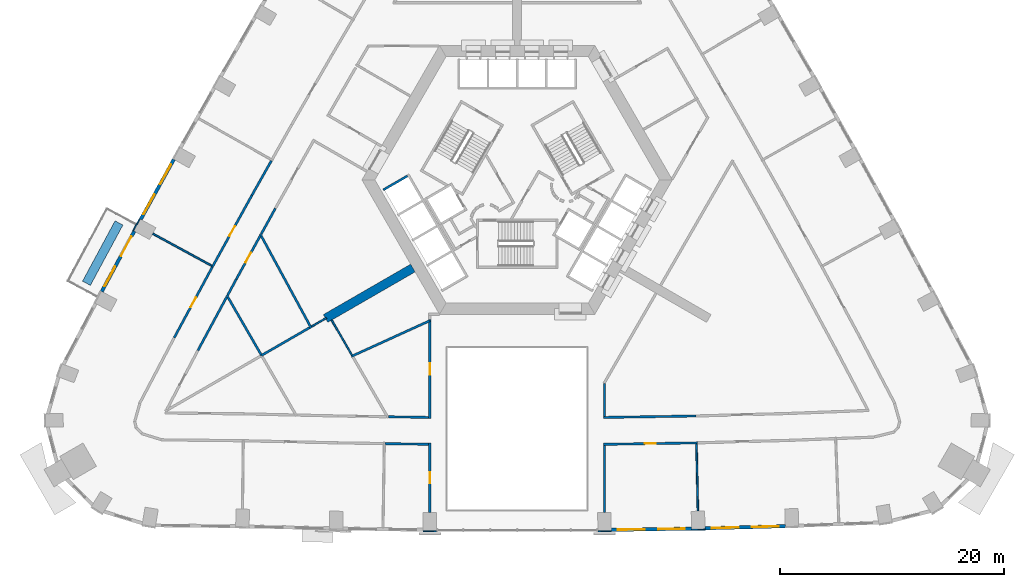
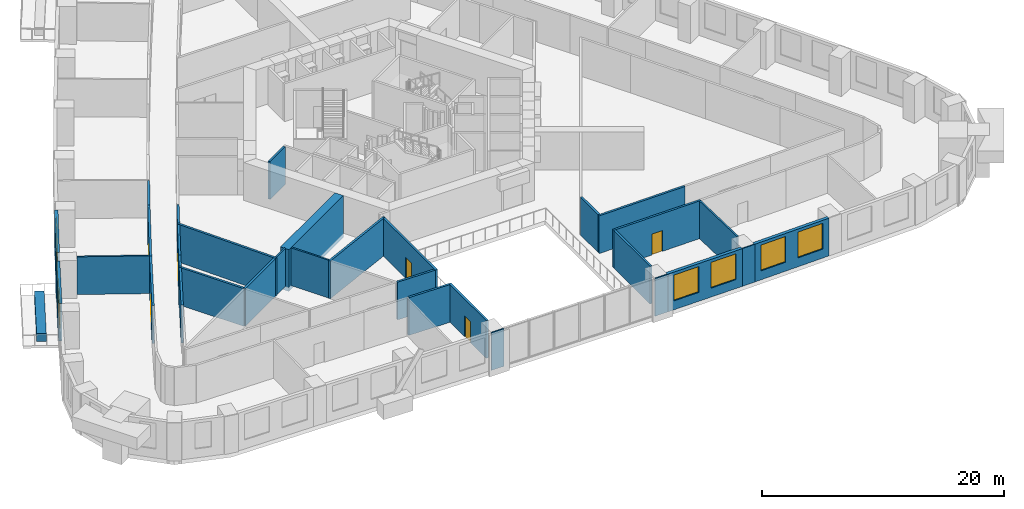
# One storey, part 5 of 15: 34 walls, 7 doors, 7 windows, 14 openings.
"""IFC4 building model written with IfcOpenShell, lengths in metres."""

from ifc_helpers import new_model, si_unit, direction, frame, frame_2d, origin, place, context, subcontext, project, spatial, rectangle, extrude, material, layer, layer_set, type_object, element, fill, save


model = new_model("IFC4")

# Units and contexts
model_context = context("Model", 3, precision=1e-05, world=origin(), true_north=direction((0.0, 1.0)))
body_context = subcontext(model_context, "Body", "Model", "MODEL_VIEW")
ifc_project = project(units=[si_unit("LENGTHUNIT", "METRE"), si_unit("AREAUNIT", "SQUARE_METRE"), si_unit("VOLUMEUNIT", "CUBIC_METRE"), si_unit("PLANEANGLEUNIT", "RADIAN"), si_unit("MASSUNIT", "GRAM", prefix="KILO")], contexts=[model_context])

# Site, building, storey
site_placement = place(None, origin())
site = spatial("IfcSite", under=ifc_project, at=site_placement, CompositionType="ELEMENT")
building_placement = place(site_placement, origin())
building = spatial("IfcBuilding", under=site, at=building_placement, Name="Entoto Arch Interchange Tower", CompositionType="ELEMENT")
storey_placement = place(building_placement, frame((0.0, 0.0, 56.0)))
storey = spatial("IfcBuildingStorey", under=building, at=storey_placement, Name="L11", CompositionType="ELEMENT", Elevation=56.0)

# Walls
ifc_material_1 = material(Name="Concrete C60/75", Category="concrete")
ifc_layer_1 = layer(ifc_material_1, 0.800048828125)
ifc_layer_set_1 = layer_set([ifc_layer_1], Name="Concrete C60/75")
wall_type_1 = type_object("IfcWallType", Name="Buttress wall 800 C60/75", PredefinedType="SHEAR", material=ifc_layer_set_1)
wall_1_placement = place(storey_placement, frame((-9.31005859375, -5.375, -0.39990234375), z_axis=(0.0, 0.0, 1.0), x_axis=(-0.866017533419, -0.500013631625, 0.0)))
element("IfcWall", 1, at=wall_1_placement, inside=storey, type_object=wall_type_1, Name="Buttress wall SW L11", PredefinedType="SHEAR", context=body_context, shape_type="SweptSolid", body=[
    extrude(rectangle(XDim=8.999755859375, YDim=0.800048828125, at=frame_2d((4.5, 0.0))), origin(), (0.0, 0.0, 1.0), 4.199951171875),
])
ifc_material_2 = material(Name="Concrete C40/50", Category="concrete")
ifc_layer_2 = layer(ifc_material_2, 0.199951171875)
ifc_layer_set_2 = layer_set([ifc_layer_2], Name="Concrete C40/50")
wall_type_2 = type_object("IfcWallType", Name="LIFT SHAFT WALL 200", PredefinedType="STANDARD", material=ifc_layer_set_2)
wall_2_placement = place(storey_placement, frame((-9.7880859375, 2.85302734375, 0.0), z_axis=(0.0, 0.0, 1.0), x_axis=(-0.865998541277, -0.500046524342, 0.0)))
element("IfcWall", 2, at=wall_2_placement, inside=storey, type_object=wall_type_2, Name="Shaft wall SW3 cross 1", PredefinedType="STANDARD", context=body_context, shape_type="SweptSolid", body=[
    extrude(rectangle(XDim=2.499755859375, YDim=0.199951171875, at=frame_2d((1.25, 0.0))), origin(), (0.0, 0.0, 1.0), 3.800048828125),
])
ifc_material_3 = material(Name="Gypsum board partition on steel studs", Category="steel")
ifc_layer_3 = layer(ifc_material_3, 0.14990234375)
ifc_layer_set_3 = layer_set([ifc_layer_3], Name="Gypsum board partition on steel studs")
wall_type_3 = type_object("IfcWallType", Name="PARTITION 150", PredefinedType="PARTITIONING", material=ifc_layer_set_3)
wall_3_placement = place(storey_placement, frame((-14.760986328125, -13.134033203125, 0.0), z_axis=(0.0, 0.0, 1.0), x_axis=(-0.499704810774, 0.866195764299, 0.0)))
element("IfcWall", 3, at=wall_3_placement, inside=storey, type_object=wall_type_3, Name="wall:L11:p125", PredefinedType="PARTITIONING", context=body_context, shape_type="SweptSolid", body=[
    extrude(rectangle(XDim=3.593994140625, YDim=0.14990234375, at=frame_2d((1.796875, 0.0))), origin(), (0.0, 0.0, 1.0), 3.800048828125),
])
wall_4_placement = place(storey_placement, frame((-17.032958984375, -9.8291015625, 0.0), z_axis=(0.0, 0.0, 1.0), x_axis=(-0.866094414679, -0.49988045057, 0.0)))
element("IfcWall", 4, at=wall_4_placement, inside=storey, type_object=wall_type_3, Name="wall:L11:p126", PredefinedType="PARTITIONING", context=body_context, shape_type="SweptSolid", body=[
    extrude(rectangle(XDim=1.515869140625, YDim=0.14990234375, at=frame_2d((0.7578125, 0.0))), origin(), (0.0, 0.0, 1.0), 3.800048828125),
])
wall_5_placement = place(storey_placement, frame((16.0048828125, -21.0791015625, 0.0), z_axis=(0.0, 0.0, 1.0), x_axis=(0.021436771826, -0.999770206004, 0.0)))
element("IfcWall", 5, at=wall_5_placement, inside=storey, type_object=wall_type_3, Name="wall:L11:p132", PredefinedType="PARTITIONING", context=body_context, shape_type="SweptSolid", body=[
    extrude(rectangle(XDim=5.979248046875, YDim=0.14990234375, at=frame_2d((2.98974609375, 0.0))), origin(), (0.0, 0.0, 1.0), 3.800048828125),
])
wall_6_placement = place(storey_placement, frame((-27.26806640625, -5.1708984375, 0.0), z_axis=(0.0, 0.0, 1.0), x_axis=(-0.877837854343, 0.478957932895, 0.0)))
element("IfcWall", 6, at=wall_6_placement, inside=storey, type_object=wall_type_3, Name="wall:L11:p143", PredefinedType="PARTITIONING", context=body_context, shape_type="SweptSolid", body=[
    extrude(rectangle(XDim=5.981689453125, YDim=0.14990234375, at=frame_2d((2.99072265625, 0.0))), origin(), (0.0, 0.0, 1.0), 3.800048828125),
])
ifc_layer_4 = layer(ifc_material_3, 0.199951171875)
ifc_layer_set_4 = layer_set([ifc_layer_4], Name="Gypsum board partition on steel studs")
wall_type_4 = type_object("IfcWallType", Name="PARTITION 200", PredefinedType="PARTITIONING", material=ifc_layer_set_4)
wall_7_placement = place(storey_placement, frame((7.699951171875, -18.7099609375, 0.0), z_axis=(0.0, 0.0, 1.0), x_axis=(0.999874256061, 0.015857870791, 0.0)))
element("IfcWall", 7, at=wall_7_placement, inside=storey, type_object=wall_type_4, Name="wall:L11:p018", PredefinedType="PARTITIONING", context=body_context, shape_type="SweptSolid", body=[
    extrude(rectangle(XDim=8.251953125, YDim=0.199951171875, at=frame_2d((4.1259765625, 0.0))), origin(), (0.0, 0.0, 1.0), 3.800048828125),
])
wall_8_placement = place(storey_placement, frame((-21.5849609375, -0.044921875, 0.0), z_axis=(0.0, 0.0, 1.0), x_axis=(-0.483139162319, -0.875543573921, 0.0)))
element("IfcWall", 8, at=wall_8_placement, inside=storey, type_object=wall_type_4, Name="wall:L11:p027", PredefinedType="PARTITIONING", context=body_context, shape_type="SweptSolid", body=[
    extrude(rectangle(XDim=2.610107421875, YDim=0.199951171875, at=frame_2d((1.30517578125, 0.0))), origin(), (0.0, 0.0, 1.0), 3.800048828125),
])
wall_9_placement = place(storey_placement, frame((-11.47705078125, -18.64990234375, 0.0), z_axis=(0.0, 0.0, 1.0), x_axis=(0.9998724957, -0.015968479661, 0.0)))
element("IfcWall", 9, at=wall_9_placement, inside=storey, type_object=wall_type_4, Name="wall:L11:p028", PredefinedType="PARTITIONING", context=body_context, shape_type="SweptSolid", body=[
    extrude(rectangle(XDim=3.57763671875, YDim=0.199951171875, at=frame_2d((1.788818359375, 0.0))), origin(), (0.0, 0.0, 1.0), 3.800048828125),
])

# Wall, opening, door
wall_10_placement = place(storey_placement, frame((-22.94189453125, -2.5048828125, 0.0), z_axis=(0.0, 0.0, 1.0), x_axis=(-0.48320751977, -0.875505849688, 0.0)))
wall_10 = element("IfcWall", 10, at=wall_10_placement, inside=storey, type_object=wall_type_4, Name="wall:L11:p029", PredefinedType="PARTITIONING", context=body_context, shape_type="SweptSolid", body=[
    extrude(rectangle(XDim=4.412353515625, YDim=0.199951171875, at=frame_2d((2.2060546875, 0.0))), origin(), (0.0, 0.0, 1.0), 3.800048828125),
])
opening_1_placement = place(wall_10_placement, frame((1.7060546875, 0.0, 0.0)))
opening_1 = element("IfcOpeningElement", 11, at=opening_1_placement, cuts=wall_10, Name="Opening L11-D23", PredefinedType="OPENING", context=body_context, shape_type="SweptSolid", body=[
    extrude(rectangle(XDim=1.0, YDim=2.10009765625, at=frame_2d((0.5, 1.050048828125))), frame((0.0, 0.10986328125, 0.0), z_axis=(0.0, -1.0, 0.0), x_axis=(1.0, 0.0, 0.0)), (0.0, 0.0, 1.0), 0.219970703125),
])
ifc_material_4 = material(Name="Timber door leaf in Steel S235 frame", Category="steel")
door_type_1 = type_object("IfcDoorType", Name="DOOR DS-10 1000x2100", OperationType="SINGLE_SWING_LEFT", PredefinedType="DOOR", material=ifc_material_4)
door_1_placement = place(opening_1_placement, origin())
door_1 = element("IfcDoor", 12, at=door_1_placement, inside=storey, type_object=door_type_1, Name="door:L11:23", OperationType="SINGLE_SWING_LEFT", OverallHeight=2.10009765625, OverallWidth=1.0, PredefinedType="DOOR", context=body_context, shape_type="SweptSolid", body=[
    extrude(rectangle(XDim=1.0, YDim=2.10009765625, at=frame_2d((0.5, 1.050048828125))), frame((0.0, 0.02490234375, 0.0), z_axis=(0.0, -1.0, 0.0), x_axis=(1.0, 0.0, 0.0)), (0.0, 0.0, 1.0), 0.050048828125),
])
fill(opening_1, door_1)

# Walls
wall_11_placement = place(storey_placement, frame((-25.073974609375, -6.367919921875, 0.0), z_axis=(0.0, 0.0, 1.0), x_axis=(-0.474616646546, -0.880192614614, 0.0)))
element("IfcWall", 13, at=wall_11_placement, inside=storey, type_object=wall_type_4, Name="wall:L11:p030", PredefinedType="PARTITIONING", context=body_context, shape_type="SweptSolid", body=[
    extrude(rectangle(XDim=1.60546875, YDim=0.199951171875, at=frame_2d((0.802734375, 0.0))), origin(), (0.0, 0.0, 1.0), 3.800048828125),
])
wall_12_placement = place(storey_placement, frame((-25.930908203125, -7.95703125, 0.0), z_axis=(0.0, 0.0, 1.0), x_axis=(-0.474554072379, -0.880226352928, 0.0)))
element("IfcWall", 14, at=wall_12_placement, inside=storey, type_object=wall_type_4, Name="wall:L11:p033", PredefinedType="PARTITIONING", context=body_context, shape_type="SweptSolid", body=[
    extrude(rectangle(XDim=5.415771484375, YDim=0.199951171875, at=frame_2d((2.7080078125, 0.0))), origin(), (0.0, 0.0, 1.0), 3.800048828125),
])

# Wall, opening, door
wall_13_placement = place(storey_placement, frame((16.077880859375, -20.97802734375, 0.0), z_axis=(0.0, 0.0, 1.0), x_axis=(-0.999873907997, -0.015879801838, 0.0)))
wall_13 = element("IfcWall", 15, at=wall_13_placement, inside=storey, type_object=wall_type_4, Name="wall:L11:p037", PredefinedType="PARTITIONING", context=body_context, shape_type="SweptSolid", body=[
    extrude(rectangle(XDim=8.37890625, YDim=0.199951171875, at=frame_2d((4.189453125, 0.0))), origin(), (0.0, 0.0, 1.0), 3.800048828125),
])
opening_2_placement = place(wall_13_placement, frame((3.68896484375, 0.0, 0.0)))
opening_2 = element("IfcOpeningElement", 16, at=opening_2_placement, cuts=wall_13, Name="Opening L11-D01", PredefinedType="OPENING", context=body_context, shape_type="SweptSolid", body=[
    extrude(rectangle(XDim=1.0, YDim=2.10009765625, at=frame_2d((0.5, 1.050048828125))), frame((0.0, 0.10986328125, 0.0), z_axis=(0.0, -1.0, 0.0), x_axis=(1.0, 0.0, 0.0)), (0.0, 0.0, 1.0), 0.219970703125),
])
door_2_placement = place(opening_2_placement, origin())
door_2 = element("IfcDoor", 17, at=door_2_placement, inside=storey, type_object=door_type_1, Name="door:L11:01", OperationType="SINGLE_SWING_RIGHT", OverallHeight=2.10009765625, OverallWidth=1.0, PredefinedType="DOOR", context=body_context, shape_type="SweptSolid", body=[
    extrude(rectangle(XDim=1.0, YDim=2.10009765625, at=frame_2d((0.5, 1.050048828125))), frame((0.0, 0.02490234375, 0.0), z_axis=(0.0, -1.0, 0.0), x_axis=(1.0, 0.0, 0.0)), (0.0, 0.0, 1.0), 0.050048828125),
])
fill(opening_2, door_2)

wall_14_placement = place(storey_placement, frame((-27.217041015625, -5.283935546875, 0.0), z_axis=(0.0, 0.0, 1.0), x_axis=(0.483151415114, 0.875536812517, 0.0)))
wall_14 = element("IfcWall", 18, at=wall_14_placement, inside=storey, type_object=wall_type_4, Name="wall:L11:p067", PredefinedType="PARTITIONING", context=body_context, shape_type="SweptSolid", body=[
    extrude(rectangle(XDim=7.31884765625, YDim=0.199951171875, at=frame_2d((3.659423828125, 0.0))), origin(), (0.0, 0.0, 1.0), 3.800048828125),
])
opening_3_placement = place(wall_14_placement, frame((3.158935546875, 0.0, 0.0)))
opening_3 = element("IfcOpeningElement", 19, at=opening_3_placement, cuts=wall_14, Name="Opening L11-D12", PredefinedType="OPENING", context=body_context, shape_type="SweptSolid", body=[
    extrude(rectangle(XDim=1.0, YDim=2.10009765625, at=frame_2d((0.5, 1.050048828125))), frame((0.0, 0.10986328125, 0.0), z_axis=(0.0, -1.0, 0.0), x_axis=(1.0, 0.0, 0.0)), (0.0, 0.0, 1.0), 0.219970703125),
])
door_3_placement = place(opening_3_placement, origin())
door_3 = element("IfcDoor", 20, at=door_3_placement, inside=storey, type_object=door_type_1, Name="door:L11:12", OperationType="SINGLE_SWING_LEFT", OverallHeight=2.10009765625, OverallWidth=1.0, PredefinedType="DOOR", context=body_context, shape_type="SweptSolid", body=[
    extrude(rectangle(XDim=1.0, YDim=2.10009765625, at=frame_2d((0.5, 1.050048828125))), frame((0.0, 0.02490234375, 0.0), z_axis=(0.0, -1.0, 0.0), x_axis=(1.0, 0.0, 0.0)), (0.0, 0.0, 1.0), 0.050048828125),
])
fill(opening_3, door_3)

# Wall
wall_15_placement = place(storey_placement, frame((-23.680908203125, 1.1240234375, 0.0), z_axis=(0.0, 0.0, 1.0), x_axis=(0.491485799319, 0.870885588965, 0.0)))
element("IfcWall", 21, at=wall_15_placement, inside=storey, type_object=wall_type_4, Name="wall:L11:p068", PredefinedType="PARTITIONING", context=body_context, shape_type="SweptSolid", body=[
    extrude(rectangle(XDim=3.548095703125, YDim=0.199951171875, at=frame_2d((1.77392578125, 0.0))), origin(), (0.0, 0.0, 1.0), 3.800048828125),
])

# Wall, opening, door
wall_16_placement = place(storey_placement, frame((-30.618896484375, -11.594970703125, 0.0), z_axis=(0.0, 0.0, 1.0), x_axis=(0.474595197669, 0.880204179921, 0.0)))
wall_16 = element("IfcWall", 22, at=wall_16_placement, inside=storey, type_object=wall_type_4, Name="wall:L11:p075", PredefinedType="PARTITIONING", context=body_context, shape_type="SweptSolid", body=[
    extrude(rectangle(XDim=7.169921875, YDim=0.199951171875, at=frame_2d((3.5849609375, 0.0))), origin(), (0.0, 0.0, 1.0), 3.800048828125),
])
opening_4_placement = place(wall_16_placement, frame((3.0849609375, 0.0, 0.0)))
opening_4 = element("IfcOpeningElement", 23, at=opening_4_placement, cuts=wall_16, Name="Opening L11-D13", PredefinedType="OPENING", context=body_context, shape_type="SweptSolid", body=[
    extrude(rectangle(XDim=1.0, YDim=2.10009765625, at=frame_2d((0.5, 1.050048828125))), frame((0.0, 0.10986328125, 0.0), z_axis=(0.0, -1.0, 0.0), x_axis=(1.0, 0.0, 0.0)), (0.0, 0.0, 1.0), 0.219970703125),
])
door_4_placement = place(opening_4_placement, origin())
door_4 = element("IfcDoor", 24, at=door_4_placement, inside=storey, type_object=door_type_1, Name="door:L11:13", OperationType="SINGLE_SWING_LEFT", OverallHeight=2.10009765625, OverallWidth=1.0, PredefinedType="DOOR", context=body_context, shape_type="SweptSolid", body=[
    extrude(rectangle(XDim=1.0, YDim=2.10009765625, at=frame_2d((0.5, 1.050048828125))), frame((0.0, 0.02490234375, 0.0), z_axis=(0.0, -1.0, 0.0), x_axis=(1.0, 0.0, 0.0)), (0.0, 0.0, 1.0), 0.050048828125),
])
fill(opening_4, door_4)

# Walls
wall_17_placement = place(storey_placement, frame((-7.89990234375, -21.10693359375, 0.0), z_axis=(0.0, 0.0, 1.0), x_axis=(-0.999876676102, 0.015704540367, 0.0)))
element("IfcWall", 25, at=wall_17_placement, inside=storey, type_object=wall_type_4, Name="wall:L11:p078", PredefinedType="PARTITIONING", context=body_context, shape_type="SweptSolid", body=[
    extrude(rectangle(XDim=3.886474609375, YDim=0.199951171875, at=frame_2d((1.943359375, 0.0))), origin(), (0.0, 0.0, 1.0), 3.800048828125),
])
wall_18_placement = place(storey_placement, frame((7.800048828125, -15.68994140625, 0.0), z_axis=(0.0, 0.0, 1.0), x_axis=(0.0, -1.0, 0.0)))
element("IfcWall", 26, at=wall_18_placement, inside=storey, type_object=wall_type_4, Name="wall:L11:p110", PredefinedType="PARTITIONING", context=body_context, shape_type="SweptSolid", body=[
    extrude(rectangle(XDim=2.9189453125, YDim=0.199951171875, at=frame_2d((1.45947265625, 0.0))), origin(), (0.0, 0.0, 1.0), 3.800048828125),
])

# Wall, opening, door
wall_19_placement = place(storey_placement, frame((-7.800048828125, -18.80908203125, 0.0), z_axis=(0.0, 0.0, 1.0), x_axis=(0.0, 1.0, 0.0)))
wall_19 = element("IfcWall", 27, at=wall_19_placement, inside=storey, type_object=wall_type_4, Name="wall:L11:p113", PredefinedType="PARTITIONING", context=body_context, shape_type="SweptSolid", body=[
    extrude(rectangle(XDim=8.837158203125, YDim=0.199951171875, at=frame_2d((4.41845703125, 0.0))), origin(), (0.0, 0.0, 1.0), 3.800048828125),
])
opening_5_placement = place(wall_19_placement, frame((3.91796875, 0.0, 0.0)))
opening_5 = element("IfcOpeningElement", 28, at=opening_5_placement, cuts=wall_19, Name="Opening L11-D22", PredefinedType="OPENING", context=body_context, shape_type="SweptSolid", body=[
    extrude(rectangle(XDim=1.0, YDim=2.10009765625, at=frame_2d((0.5, 1.050048828125))), frame((0.0, 0.10986328125, 0.0), z_axis=(0.0, -1.0, 0.0), x_axis=(1.0, 0.0, 0.0)), (0.0, 0.0, 1.0), 0.219970703125),
])
door_5_placement = place(opening_5_placement, origin())
door_5 = element("IfcDoor", 29, at=door_5_placement, inside=storey, type_object=door_type_1, Name="door:L11:22", OperationType="SINGLE_SWING_RIGHT", OverallHeight=2.10009765625, OverallWidth=1.0, PredefinedType="DOOR", context=body_context, shape_type="SweptSolid", body=[
    extrude(rectangle(XDim=1.0, YDim=2.10009765625, at=frame_2d((0.5, 1.050048828125))), frame((0.0, 0.02490234375, 0.0), z_axis=(0.0, -1.0, 0.0), x_axis=(1.0, 0.0, 0.0)), (0.0, 0.0, 1.0), 0.050048828125),
])
fill(opening_5, door_5)

# Wall
wall_20_placement = place(storey_placement, frame((7.800048828125, -21.208984375, 0.0), z_axis=(0.0, 0.0, 1.0), x_axis=(0.0, -1.0, 0.0)))
element("IfcWall", 30, at=wall_20_placement, inside=storey, type_object=wall_type_4, Name="wall:L11:p114", PredefinedType="PARTITIONING", context=body_context, shape_type="SweptSolid", body=[
    extrude(rectangle(XDim=5.98095703125, YDim=0.199951171875, at=frame_2d((2.990478515625, 0.0))), origin(), (0.0, 0.0, 1.0), 3.800048828125),
])

# Wall, opening, door
wall_21_placement = place(storey_placement, frame((-7.800048828125, -27.18994140625, 0.0), z_axis=(0.0, 0.0, 1.0), x_axis=(0.0, 1.0, 0.0)))
wall_21 = element("IfcWall", 31, at=wall_21_placement, inside=storey, type_object=wall_type_4, Name="wall:L11:p115", PredefinedType="PARTITIONING", context=body_context, shape_type="SweptSolid", body=[
    extrude(rectangle(XDim=6.180908203125, YDim=0.199951171875, at=frame_2d((3.09033203125, 0.0))), origin(), (0.0, 0.0, 1.0), 3.800048828125),
])
opening_6_placement = place(wall_21_placement, frame((2.590087890625, 0.0, 0.0)))
opening_6 = element("IfcOpeningElement", 32, at=opening_6_placement, cuts=wall_21, Name="Opening L11-D15", PredefinedType="OPENING", context=body_context, shape_type="SweptSolid", body=[
    extrude(rectangle(XDim=1.0, YDim=2.10009765625, at=frame_2d((0.5, 1.050048828125))), frame((0.0, 0.10986328125, 0.0), z_axis=(0.0, -1.0, 0.0), x_axis=(1.0, 0.0, 0.0)), (0.0, 0.0, 1.0), 0.219970703125),
])
door_6_placement = place(opening_6_placement, origin())
door_6 = element("IfcDoor", 33, at=door_6_placement, inside=storey, type_object=door_type_1, Name="door:L11:15", OperationType="SINGLE_SWING_LEFT", OverallHeight=2.10009765625, OverallWidth=1.0, PredefinedType="DOOR", context=body_context, shape_type="SweptSolid", body=[
    extrude(rectangle(XDim=1.0, YDim=2.10009765625, at=frame_2d((0.5, 1.050048828125))), frame((0.0, 0.02490234375, 0.0), z_axis=(0.0, -1.0, 0.0), x_axis=(1.0, 0.0, 0.0)), (0.0, 0.0, 1.0), 0.050048828125),
])
fill(opening_6, door_6)

# Walls
wall_22_placement = place(storey_placement, frame((-7.800048828125, -10.072021484375, 0.0), z_axis=(0.0, 0.0, 1.0), x_axis=(-0.910011899741, -0.414582129777, 0.0)))
element("IfcWall", 34, at=wall_22_placement, inside=storey, type_object=wall_type_4, Name="wall:L11:p123", PredefinedType="PARTITIONING", context=body_context, shape_type="SweptSolid", body=[
    extrude(rectangle(XDim=7.6943359375, YDim=0.199951171875, at=frame_2d((3.84716796875, 0.0))), origin(), (0.0, 0.0, 1.0), 3.800048828125),
])
wall_23_placement = place(storey_placement, frame((-18.384033203125, -10.72509765625, 0.0), z_axis=(0.0, 0.0, 1.0), x_axis=(-0.477137547132, 0.878828630119, 0.0)))
element("IfcWall", 35, at=wall_23_placement, inside=storey, type_object=wall_type_4, Name="wall:L11:p124", PredefinedType="PARTITIONING", context=body_context, shape_type="SweptSolid", body=[
    extrude(rectangle(XDim=9.552490234375, YDim=0.199951171875, at=frame_2d((4.7763671875, 0.0))), origin(), (0.0, 0.0, 1.0), 3.800048828125),
])
wall_24_placement = place(storey_placement, frame((-18.51904296875, -10.68701171875, 0.0), z_axis=(0.0, 0.0, 1.0), x_axis=(-0.866063668779, -0.499933717229, 0.0)))
element("IfcWall", 36, at=wall_24_placement, inside=storey, type_object=wall_type_4, Name="wall:L11:p128", PredefinedType="PARTITIONING", context=body_context, shape_type="SweptSolid", body=[
    extrude(rectangle(XDim=4.968505859375, YDim=0.199951171875, at=frame_2d((2.484375, 0.0))), origin(), (0.0, 0.0, 1.0), 3.800048828125),
])
wall_25_placement = place(storey_placement, frame((-22.822021484375, -13.1708984375, 0.0), z_axis=(0.0, 0.0, 1.0), x_axis=(-0.499974913987, 0.866039886717, 0.0)))
element("IfcWall", 37, at=wall_25_placement, inside=storey, type_object=wall_type_4, Name="wall:L11:p129", PredefinedType="PARTITIONING", context=body_context, shape_type="SweptSolid", body=[
    extrude(rectangle(XDim=6.222412109375, YDim=0.199951171875, at=frame_2d((3.111328125, 0.0))), origin(), (0.0, 0.0, 1.0), 3.800048828125),
])
ifc_material_5 = material(Name="Board-marked precast concrete C50/60", Category="concrete")
ifc_layer_5 = layer(ifc_material_5, 0.800048828125)
ifc_layer_set_5 = layer_set([ifc_layer_5], Name="Board-marked precast concrete C50/60")
wall_type_5 = type_object("IfcWallType", Name="PLANTER RC 800 Afrocarpus falcatus", PredefinedType="STANDARD", material=ifc_layer_set_5)
wall_26_placement = place(storey_placement, frame((-35.544921875, -1.346923828125, 0.0), z_axis=(0.0, 0.0, 1.0), x_axis=(-0.474651603139, -0.880173764456, 0.0)))
element("IfcWall", 38, at=wall_26_placement, inside=storey, type_object=wall_type_5, Name="Planter NW-08 L11", PredefinedType="STANDARD", context=body_context, shape_type="SweptSolid", body=[
    extrude(rectangle(XDim=6.120361328125, YDim=0.800048828125, at=frame_2d((3.06005859375, 0.0))), origin(), (0.0, 0.0, 1.0), 0.800048828125),
])

# Wall, openings, windows
ifc_material_6 = material(Name="Welded tuff (ignimbrite) cladding, warm buff", Category="masonry")
ifc_layer_6 = layer(ifc_material_6, 0.300048828125)
ifc_layer_set_6 = layer_set([ifc_layer_6], Name="Welded tuff (ignimbrite) cladding, warm buff")
wall_type_6 = type_object("IfcWallType", Name="STONE INFILL WALL 300", PredefinedType="STANDARD", material=ifc_layer_set_6)
wall_27_placement = place(storey_placement, frame((8.39794921875, -28.75, 0.0), z_axis=(0.0, 0.0, 1.0), x_axis=(0.999875756772, 0.015762963512, 0.0)))
wall_27 = element("IfcWall", 39, at=wall_27_placement, inside=storey, type_object=wall_type_6, Name="Facade wall S-05 L11", PredefinedType="STANDARD", context=body_context, shape_type="SweptSolid", body=[
    extrude(rectangle(XDim=7.171142578125, YDim=0.300048828125, at=frame_2d((3.58544921875, 0.0))), origin(), (0.0, 0.0, 1.0), 3.800048828125),
])
opening_7_placement = place(wall_27_placement, frame((0.593017578125, 0.0, 0.89990234375)))
opening_7 = element("IfcOpeningElement", 40, at=opening_7_placement, cuts=wall_27, Name="Opening WO-A", PredefinedType="OPENING", context=body_context, shape_type="SweptSolid", body=[
    extrude(rectangle(XDim=2.39990234375, YDim=2.60009765625, at=frame_2d((1.199951171875, 1.300048828125))), frame((0.0, 0.16015625, 0.0), z_axis=(0.0, -1.0, 0.0), x_axis=(1.0, 0.0, 0.0)), (0.0, 0.0, 1.0), 0.320068359375),
])
opening_8_placement = place(wall_27_placement, frame((4.177978515625, 0.0, 0.89990234375)))
opening_8 = element("IfcOpeningElement", 41, at=opening_8_placement, cuts=wall_27, Name="Opening WO-A", PredefinedType="OPENING", context=body_context, shape_type="SweptSolid", body=[
    extrude(rectangle(XDim=2.39990234375, YDim=2.60009765625, at=frame_2d((1.199951171875, 1.300048828125))), frame((0.0, 0.16015625, 0.0), z_axis=(0.0, -1.0, 0.0), x_axis=(1.0, 0.0, 0.0)), (0.0, 0.0, 1.0), 0.320068359375),
])
ifc_material_7 = material(Name="Clear glass, low-e double glazed", Category="glass")
window_type_1 = type_object("IfcWindowType", Name="WINDOW WO-A 2400x2600", PartitioningType="DOUBLE_PANEL_VERTICAL", PredefinedType="WINDOW", material=ifc_material_7)
window_1_placement = place(opening_7_placement, origin())
window_1 = element("IfcWindow", 42, at=window_1_placement, inside=storey, type_object=window_type_1, Name="Window WO-A S-05 L11", OverallHeight=2.60009765625, OverallWidth=2.39990234375, PartitioningType="SINGLE_PANEL", PredefinedType="WINDOW", context=body_context, shape_type="SweptSolid", body=[
    extrude(rectangle(XDim=2.39990234375, YDim=2.60009765625, at=frame_2d((1.199951171875, 1.300048828125))), frame((0.0, 0.030029296875, 0.0), z_axis=(0.0, -1.0, 0.0), x_axis=(1.0, 0.0, 0.0)), (0.0, 0.0, 1.0), 0.06005859375),
])
fill(opening_7, window_1)
window_2_placement = place(opening_8_placement, origin())
window_2 = element("IfcWindow", 43, at=window_2_placement, inside=storey, type_object=window_type_1, Name="Window WO-A S-05 L11", OverallHeight=2.60009765625, OverallWidth=2.39990234375, PartitioningType="SINGLE_PANEL", PredefinedType="WINDOW", context=body_context, shape_type="SweptSolid", body=[
    extrude(rectangle(XDim=2.39990234375, YDim=2.60009765625, at=frame_2d((1.199951171875, 1.300048828125))), frame((0.0, 0.030029296875, 0.0), z_axis=(0.0, -1.0, 0.0), x_axis=(1.0, 0.0, 0.0)), (0.0, 0.0, 1.0), 0.06005859375),
])
fill(opening_8, window_2)

wall_28_placement = place(storey_placement, frame((16.764892578125, -28.611083984375, 0.0), z_axis=(0.0, 0.0, 1.0), x_axis=(0.999633925798, 0.027055764512, 0.0)))
wall_28 = element("IfcWall", 44, at=wall_28_placement, inside=storey, type_object=wall_type_6, Name="Facade wall S-06 L11", PredefinedType="STANDARD", context=body_context, shape_type="SweptSolid", body=[
    extrude(rectangle(XDim=7.173828125, YDim=0.300048828125, at=frame_2d((3.5869140625, 0.0))), origin(), (0.0, 0.0, 1.0), 3.800048828125),
])
opening_9_placement = place(wall_28_placement, frame((0.593017578125, 0.0, 0.89990234375)))
opening_9 = element("IfcOpeningElement", 45, at=opening_9_placement, cuts=wall_28, Name="Opening WO-A", PredefinedType="OPENING", context=body_context, shape_type="SweptSolid", body=[
    extrude(rectangle(XDim=2.39990234375, YDim=2.60009765625, at=frame_2d((1.199951171875, 1.300048828125))), frame((0.0, 0.16015625, 0.0), z_axis=(0.0, -1.0, 0.0), x_axis=(1.0, 0.0, 0.0)), (0.0, 0.0, 1.0), 0.320068359375),
])
opening_10_placement = place(wall_28_placement, frame((4.179931640625, 0.0, 0.89990234375)))
opening_10 = element("IfcOpeningElement", 46, at=opening_10_placement, cuts=wall_28, Name="Opening WO-A", PredefinedType="OPENING", context=body_context, shape_type="SweptSolid", body=[
    extrude(rectangle(XDim=2.39990234375, YDim=2.60009765625, at=frame_2d((1.199951171875, 1.300048828125))), frame((0.0, 0.16015625, 0.0), z_axis=(0.0, -1.0, 0.0), x_axis=(1.0, 0.0, 0.0)), (0.0, 0.0, 1.0), 0.320068359375),
])
window_3_placement = place(opening_9_placement, origin())
window_3 = element("IfcWindow", 47, at=window_3_placement, inside=storey, type_object=window_type_1, Name="Window WO-A S-06 L11", OverallHeight=2.60009765625, OverallWidth=2.39990234375, PartitioningType="SINGLE_PANEL", PredefinedType="WINDOW", context=body_context, shape_type="SweptSolid", body=[
    extrude(rectangle(XDim=2.39990234375, YDim=2.60009765625, at=frame_2d((1.199951171875, 1.300048828125))), frame((0.0, 0.030029296875, 0.0), z_axis=(0.0, -1.0, 0.0), x_axis=(1.0, 0.0, 0.0)), (0.0, 0.0, 1.0), 0.06005859375),
])
fill(opening_9, window_3)
window_4_placement = place(opening_10_placement, origin())
window_4 = element("IfcWindow", 48, at=window_4_placement, inside=storey, type_object=window_type_1, Name="Window WO-A S-06 L11", OverallHeight=2.60009765625, OverallWidth=2.39990234375, PartitioningType="SINGLE_PANEL", PredefinedType="WINDOW", context=body_context, shape_type="SweptSolid", body=[
    extrude(rectangle(XDim=2.39990234375, YDim=2.60009765625, at=frame_2d((1.199951171875, 1.300048828125))), frame((0.0, 0.030029296875, 0.0), z_axis=(0.0, -1.0, 0.0), x_axis=(1.0, 0.0, 0.0)), (0.0, 0.0, 1.0), 0.06005859375),
])
fill(opening_10, window_4)

wall_29_placement = place(storey_placement, frame((-30.64990234375, 4.327880859375, 0.0), z_axis=(0.0, 0.0, 1.0), x_axis=(-0.483195456594, -0.875512507465, 0.0)))
wall_29 = element("IfcWall", 49, at=wall_29_placement, inside=storey, type_object=wall_type_6, Name="Facade wall NW-07 L11", PredefinedType="STANDARD", context=body_context, shape_type="SweptSolid", body=[
    extrude(rectangle(XDim=6.11962890625, YDim=0.300048828125, at=frame_2d((3.059814453125, 0.0))), origin(), (0.0, 0.0, 1.0), 3.800048828125),
])
opening_11_placement = place(wall_29_placement, frame((0.530029296875, 0.0, 0.89990234375)))
opening_11 = element("IfcOpeningElement", 50, at=opening_11_placement, cuts=wall_29, Name="Opening WO-C", PredefinedType="OPENING", context=body_context, shape_type="SweptSolid", body=[
    extrude(rectangle(XDim=2.0, YDim=2.60009765625, at=frame_2d((1.0, 1.300048828125))), frame((0.0, 0.16015625, 0.0), z_axis=(0.0, -1.0, 0.0), x_axis=(1.0, 0.0, 0.0)), (0.0, 0.0, 1.0), 0.320068359375),
])
opening_12_placement = place(wall_29_placement, frame((3.590087890625, 0.0, 0.89990234375)))
opening_12 = element("IfcOpeningElement", 51, at=opening_12_placement, cuts=wall_29, Name="Opening WO-C", PredefinedType="OPENING", context=body_context, shape_type="SweptSolid", body=[
    extrude(rectangle(XDim=2.0, YDim=2.60009765625, at=frame_2d((1.0, 1.300048828125))), frame((0.0, 0.16015625, 0.0), z_axis=(0.0, -1.0, 0.0), x_axis=(1.0, 0.0, 0.0)), (0.0, 0.0, 1.0), 0.320068359375),
])
window_type_2 = type_object("IfcWindowType", Name="WINDOW WO-C 2000x2600", PartitioningType="DOUBLE_PANEL_VERTICAL", PredefinedType="WINDOW", material=ifc_material_7)
window_5_placement = place(opening_11_placement, origin())
window_5 = element("IfcWindow", 52, at=window_5_placement, inside=storey, type_object=window_type_2, Name="Window WO-C NW-07 L11", OverallHeight=2.60009765625, OverallWidth=2.0, PartitioningType="SINGLE_PANEL", PredefinedType="WINDOW", context=body_context, shape_type="SweptSolid", body=[
    extrude(rectangle(XDim=2.0, YDim=2.60009765625, at=frame_2d((1.0, 1.300048828125))), frame((0.0, 0.030029296875, 0.0), z_axis=(0.0, -1.0, 0.0), x_axis=(1.0, 0.0, 0.0)), (0.0, 0.0, 1.0), 0.06005859375),
])
fill(opening_11, window_5)
window_6_placement = place(opening_12_placement, origin())
window_6 = element("IfcWindow", 53, at=window_6_placement, inside=storey, type_object=window_type_2, Name="Window WO-C NW-07 L11", OverallHeight=2.60009765625, OverallWidth=2.0, PartitioningType="SINGLE_PANEL", PredefinedType="WINDOW", context=body_context, shape_type="SweptSolid", body=[
    extrude(rectangle(XDim=2.0, YDim=2.60009765625, at=frame_2d((1.0, 1.300048828125))), frame((0.0, 0.030029296875, 0.0), z_axis=(0.0, -1.0, 0.0), x_axis=(1.0, 0.0, 0.0)), (0.0, 0.0, 1.0), 0.06005859375),
])
fill(opening_12, window_6)

# Wall, openings, door, window
wall_30_placement = place(storey_placement, frame((-34.180908203125, -2.08203125, 0.0), z_axis=(0.0, 0.0, 1.0), x_axis=(-0.474584950749, -0.880209704856, 0.0)))
wall_30 = element("IfcWall", 54, at=wall_30_placement, inside=storey, type_object=wall_type_6, Name="Facade wall NW-08 L11", PredefinedType="STANDARD", context=body_context, shape_type="SweptSolid", body=[
    extrude(rectangle(XDim=6.12109375, YDim=0.300048828125, at=frame_2d((3.060546875, 0.0))), origin(), (0.0, 0.0, 1.0), 3.800048828125),
])
opening_13_placement = place(wall_30_placement, frame((0.530029296875, 0.0, 0.0)))
opening_13 = element("IfcOpeningElement", 55, at=opening_13_placement, cuts=wall_30, Name="Opening DB-NW-08-L11", PredefinedType="OPENING", context=body_context, shape_type="SweptSolid", body=[
    extrude(rectangle(XDim=2.0, YDim=2.39990234375, at=frame_2d((1.0, 1.199951171875))), frame((0.0, 0.16015625, 0.0), z_axis=(0.0, -1.0, 0.0), x_axis=(1.0, 0.0, 0.0)), (0.0, 0.0, 1.0), 0.320068359375),
])
opening_14_placement = place(wall_30_placement, frame((3.591064453125, 0.0, 0.89990234375)))
opening_14 = element("IfcOpeningElement", 56, at=opening_14_placement, cuts=wall_30, Name="Opening WO-C", PredefinedType="OPENING", context=body_context, shape_type="SweptSolid", body=[
    extrude(rectangle(XDim=2.0, YDim=2.60009765625, at=frame_2d((1.0, 1.300048828125))), frame((0.0, 0.16015625, 0.0), z_axis=(0.0, -1.0, 0.0), x_axis=(1.0, 0.0, 0.0)), (0.0, 0.0, 1.0), 0.320068359375),
])
ifc_material_8 = material(Name="Aluminium and clear glass, anodised", Category="aluminium")
door_type_2 = type_object("IfcDoorType", Name="BALCONY DOOR DB 2000x2400", OperationType="SLIDING_TO_LEFT", PredefinedType="DOOR", material=ifc_material_8)
door_7_placement = place(opening_13_placement, origin())
door_7 = element("IfcDoor", 57, at=door_7_placement, inside=storey, type_object=door_type_2, Name="Balcony door NW-08 L11", OperationType="SLIDING_TO_LEFT", OverallHeight=2.39990234375, OverallWidth=2.0, PredefinedType="DOOR", context=body_context, shape_type="SweptSolid", body=[
    extrude(rectangle(XDim=2.0, YDim=2.39990234375, at=frame_2d((1.0, 1.199951171875))), frame((0.0, 0.02490234375, 0.0), z_axis=(0.0, -1.0, 0.0), x_axis=(1.0, 0.0, 0.0)), (0.0, 0.0, 1.0), 0.050048828125),
])
fill(opening_13, door_7)
window_7_placement = place(opening_14_placement, origin())
window_7 = element("IfcWindow", 58, at=window_7_placement, inside=storey, type_object=window_type_2, Name="Window WO-C NW-08 L11", OverallHeight=2.60009765625, OverallWidth=2.0, PartitioningType="SINGLE_PANEL", PredefinedType="WINDOW", context=body_context, shape_type="SweptSolid", body=[
    extrude(rectangle(XDim=2.0, YDim=2.60009765625, at=frame_2d((1.0, 1.300048828125))), frame((0.0, 0.030029296875, 0.0), z_axis=(0.0, -1.0, 0.0), x_axis=(1.0, 0.0, 0.0)), (0.0, 0.0, 1.0), 0.06005859375),
])
fill(opening_14, window_7)

# Walls
ifc_layer_7 = layer(ifc_material_6, 0.10009765625)
ifc_layer_set_7 = layer_set([ifc_layer_7], Name="Welded tuff (ignimbrite) cladding, warm buff")
wall_type_7 = type_object("IfcWallType", Name="STONE PIER CLADDING 100", PredefinedType="STANDARD", material=ifc_layer_set_7)
wall_31_placement = place(storey_placement, frame((-33.697021484375, -0.97998046875, 0.0), z_axis=(0.0, 0.0, 1.0), x_axis=(-0.478267644701, -0.878214131082, 0.0)))
element("IfcWall", 59, at=wall_31_placement, inside=storey, type_object=wall_type_7, Name="Stone pier NW08 L11", PredefinedType="STANDARD", context=body_context, shape_type="SweptSolid", body=[
    extrude(rectangle(XDim=1.2001953125, YDim=0.10009765625, at=frame_2d((0.60009765625, 0.0))), origin(), (0.0, 0.0, 1.0), 3.800048828125),
])
for number, where, z_axis, x_axis, name in (
    (60, (-8.39990234375, -28.85498046875, 0.0), (0.0, 0.0, 1.0), (0.999965208912, -0.008341520563, 0.0), "Stone pier S04 L11"),
    (61, (7.199951171875, -28.864990234375, 0.0), (0.0, 0.0, 1.0), (0.999965208912, 0.008341520563, 0.0), "Stone pier S05 L11"),
):
    element("IfcWall", number, at=place(storey_placement, frame(where, z_axis=z_axis, x_axis=x_axis)), inside=storey, type_object=wall_type_7, Name=name, PredefinedType="STANDARD", context=body_context, shape_type="SweptSolid", body=[
        extrude(rectangle(XDim=1.199951171875, YDim=0.10009765625, at=frame_2d((0.60009765625, 0.0))), origin(), (0.0, 0.0, 1.0), 3.800048828125),
    ])
wall_32_placement = place(storey_placement, frame((15.569091796875, -28.739990234375, 0.0), z_axis=(0.0, 0.0, 1.0), x_axis=(0.99976752127, 0.021561618973, 0.0)))
element("IfcWall", 62, at=wall_32_placement, inside=storey, type_object=wall_type_7, Name="Stone pier S06 L11", PredefinedType="STANDARD", context=body_context, shape_type="SweptSolid", body=[
    extrude(rectangle(XDim=1.2001953125, YDim=0.10009765625, at=frame_2d((0.60009765625, 0.0))), origin(), (0.0, 0.0, 1.0), 3.800048828125),
])

save(model, "model.ifc")
